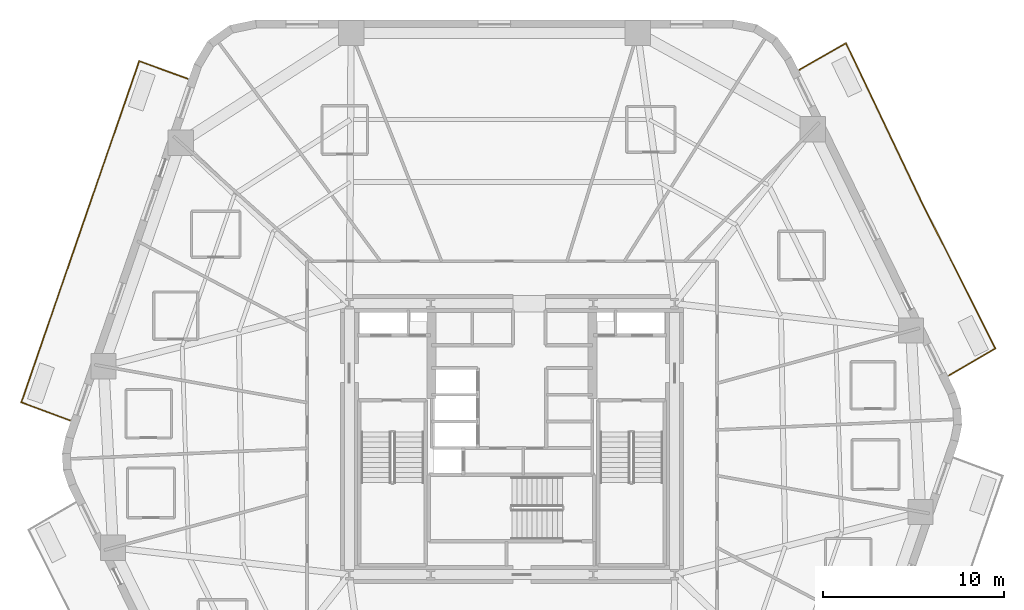
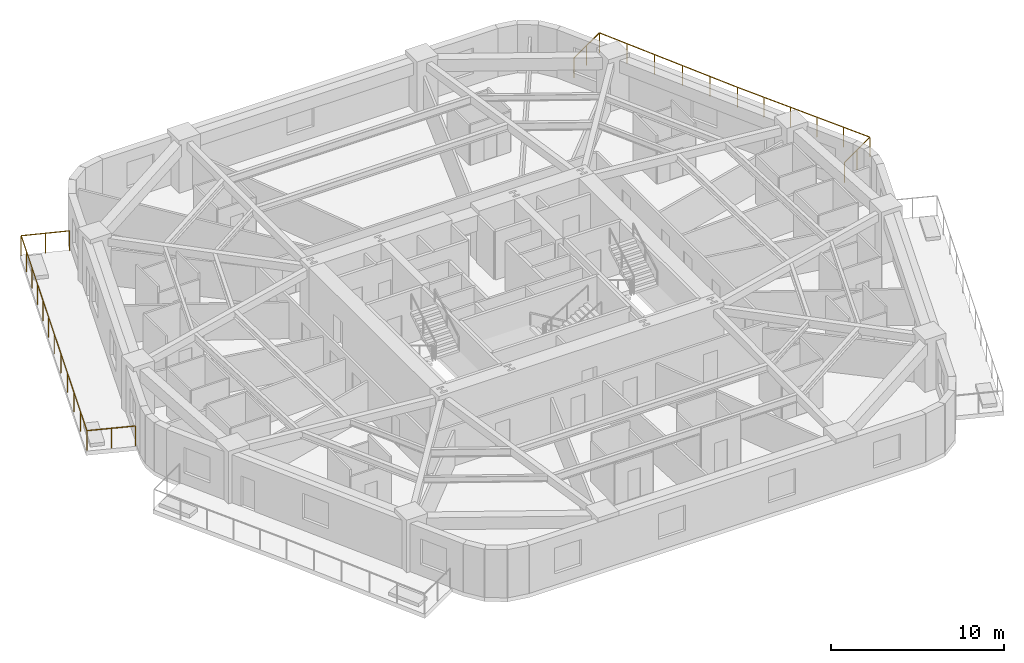
# One storey, part 10 of 10: 2 railings.
"""IFC4 building model written with IfcOpenShell, lengths in metres."""

from ifc_helpers import new_model, si_unit, direction, frame, origin, origin_2d, place, context, subcontext, project, spatial, rectangle, extrude, material, layer, layer_set, type_object, element, save


model = new_model("IFC4")

# Units and contexts
model_context = context("Model", 3, precision=1e-05, world=origin(), true_north=direction((0.0, 1.0)))
body_context = subcontext(model_context, "Body", "Model", "MODEL_VIEW")
ifc_project = project(units=[si_unit("LENGTHUNIT", "METRE"), si_unit("AREAUNIT", "SQUARE_METRE"), si_unit("VOLUMEUNIT", "CUBIC_METRE"), si_unit("PLANEANGLEUNIT", "RADIAN"), si_unit("MASSUNIT", "GRAM", prefix="KILO")], contexts=[model_context])

# Site, building, storey
site_placement = place(None, origin())
site = spatial("IfcSite", under=ifc_project, at=site_placement, CompositionType="ELEMENT")
building_placement = place(site_placement, origin())
building = spatial("IfcBuilding", under=site, at=building_placement, Name="Kilnhurst Terrace Hotel", CompositionType="ELEMENT")
storey_placement = place(building_placement, frame((0.0, 0.0, 49.0)))
storey = spatial("IfcBuildingStorey", under=building, at=storey_placement, Name="L10", CompositionType="ELEMENT", Elevation=49.0)

# Railings
ifc_material = material(Name="Laminated SentryGlas and Stainless Steel AISI 316L Balustrade", Category="steel")
ifc_layer = layer(ifc_material, 0.070068359375, Name="Laminated SentryGlas and Stainless Steel AISI 316L Balustrade")
ifc_layer_set = layer_set([ifc_layer], Name="Laminated SentryGlas and Stainless Steel AISI 316L Balustrade")
railing_type = type_object("IfcRailingType", Name="RLG-BAL-1420", PredefinedType="BALUSTRADE", material=ifc_layer_set)
railing_1_placement = place(storey_placement, frame((15.923095703125, 20.44873046875, 0.0)))
element("IfcRailing", 1, at=railing_1_placement, inside=storey, type_object=railing_type, Name="L10 Exterior Terrace Guardrail BAL-L1B.1", PredefinedType="BALUSTRADE", context=body_context, shape_type="SweptSolid", body=[
    extrude(rectangle(XDim=0.048095703125, YDim=0.048095703125, at=origin_2d()), frame((0.0, 0.0, 1.39599609375), z_axis=(0.86763656582, 0.497198943736, 0.0), x_axis=(-0.497198943736, 0.86763656582, 0.0)), (0.0, 0.0, 1.0), 2.95068359375),
    extrude(rectangle(XDim=0.048095703125, YDim=0.048095703125, at=origin_2d()), frame((2.56005859375, 1.467041015625, 1.39599609375), z_axis=(0.430147205624, -0.902758761516, 0.0), x_axis=(0.902758761516, 0.430147205624, 0.0)), (0.0, 0.0, 1.0), 9.67041015625),
    extrude(rectangle(XDim=0.048095703125, YDim=0.048095703125, at=origin_2d()), frame((6.7197265625, -7.262939453125, 1.39599609375), z_axis=(0.514495755428, -0.857492925713, 0.0), x_axis=(0.857492925713, 0.514495755428, 0.0)), (0.0, 0.0, 1.0), 0.00146484375),
    extrude(rectangle(XDim=0.048095703125, YDim=0.048095703125, at=origin_2d()), frame((6.720458984375, -7.26416015625, 1.39599609375), z_axis=(0.449648824937, -0.89320542667, 0.0), x_axis=(0.89320542667, 0.449648824937, 0.0)), (0.0, 0.0, 1.0), 9.136962890625),
    extrude(rectangle(XDim=0.048095703125, YDim=0.048095703125, at=origin_2d()), frame((10.828857421875, -15.42529296875, 1.39599609375), z_axis=(-0.863737120301, -0.503942642584, 0.0), x_axis=(0.503942642584, -0.863737120301, 0.0)), (0.0, 0.0, 1.0), 2.96728515625),
    extrude(rectangle(XDim=0.0419921875, YDim=0.0419921875, at=origin_2d()), origin(), (0.0, 0.0, 1.0), 1.371826171875),
    extrude(rectangle(XDim=0.0419921875, YDim=0.0419921875, at=origin_2d()), frame((1.280029296875, 0.7333984375, 0.0)), (0.0, 0.0, 1.0), 1.371826171875),
    extrude(rectangle(XDim=0.0419921875, YDim=0.0419921875, at=origin_2d()), frame((2.56005859375, 1.467041015625, 0.0)), (0.0, 0.0, 1.0), 1.371826171875),
    extrude(rectangle(XDim=0.0419921875, YDim=0.0419921875, at=origin_2d()), frame((3.39208984375, -0.279052734375, 0.0)), (0.0, 0.0, 1.0), 1.371826171875),
    extrude(rectangle(XDim=0.0419921875, YDim=0.0419921875, at=origin_2d()), frame((4.223876953125, -2.02490234375, 0.0)), (0.0, 0.0, 1.0), 1.371826171875),
    extrude(rectangle(XDim=0.0419921875, YDim=0.0419921875, at=origin_2d()), frame((5.055908203125, -3.77099609375, 0.0)), (0.0, 0.0, 1.0), 1.371826171875),
    extrude(rectangle(XDim=0.0419921875, YDim=0.0419921875, at=origin_2d()), frame((5.8876953125, -5.516845703125, 0.0)), (0.0, 0.0, 1.0), 1.371826171875),
    extrude(rectangle(XDim=0.0419921875, YDim=0.0419921875, at=origin_2d()), frame((6.7197265625, -7.262939453125, 0.0)), (0.0, 0.0, 1.0), 1.371826171875),
    extrude(rectangle(XDim=0.0419921875, YDim=0.0419921875, at=origin_2d()), frame((6.720458984375, -7.26416015625, 0.0)), (0.0, 0.0, 1.0), 1.371826171875),
    extrude(rectangle(XDim=0.0419921875, YDim=0.0419921875, at=origin_2d()), frame((7.542236328125, -8.896484375, 0.0)), (0.0, 0.0, 1.0), 1.371826171875),
    extrude(rectangle(XDim=0.0419921875, YDim=0.0419921875, at=origin_2d()), frame((8.36376953125, -10.528564453125, 0.0)), (0.0, 0.0, 1.0), 1.371826171875),
    extrude(rectangle(XDim=0.0419921875, YDim=0.0419921875, at=origin_2d()), frame((9.185546875, -12.160888671875, 0.0)), (0.0, 0.0, 1.0), 1.371826171875),
    extrude(rectangle(XDim=0.0419921875, YDim=0.0419921875, at=origin_2d()), frame((10.007080078125, -13.79296875, 0.0)), (0.0, 0.0, 1.0), 1.371826171875),
    extrude(rectangle(XDim=0.0419921875, YDim=0.0419921875, at=origin_2d()), frame((10.828857421875, -15.42529296875, 0.0)), (0.0, 0.0, 1.0), 1.371826171875),
    extrude(rectangle(XDim=0.0419921875, YDim=0.0419921875, at=origin_2d()), frame((9.54736328125, -16.1728515625, 0.0)), (0.0, 0.0, 1.0), 1.371826171875),
    extrude(rectangle(XDim=0.0419921875, YDim=0.0419921875, at=origin_2d()), frame((8.265869140625, -16.920654296875, 0.0)), (0.0, 0.0, 1.0), 1.371826171875),
])
railing_2_placement = place(storey_placement, frame((-24.485107421875, 1.041748046875, 0.0)))
element("IfcRailing", 2, at=railing_2_placement, inside=storey, type_object=railing_type, Name="L10 Exterior Terrace Guardrail BAL-L2A.1", PredefinedType="BALUSTRADE", context=body_context, shape_type="SweptSolid", body=[
    extrude(rectangle(XDim=0.048095703125, YDim=0.048095703125, at=origin_2d()), frame((0.0, 0.0, 1.39599609375), z_axis=(-0.937279097592, 0.348579823308, 0.0), x_axis=(-0.348579823308, -0.937279097592, 0.0)), (0.0, 0.0, 1.0), 2.85205078125),
    extrude(rectangle(XDim=0.048095703125, YDim=0.048095703125, at=origin_2d()), frame((-2.673095703125, 0.994140625, 1.39599609375), z_axis=(0.326159116329, 0.945314884488, 0.0), x_axis=(-0.945314884488, 0.326159116329, 0.0)), (0.0, 0.0, 1.0), 9.91650390625),
    extrude(rectangle(XDim=0.048095703125, YDim=0.048095703125, at=origin_2d()), frame((0.561279296875, 10.368408203125, 1.39599609375), z_axis=(0.326903959129, 0.945057565181, 0.0), x_axis=(-0.945057565181, 0.326903959129, 0.0)), (0.0, 0.0, 1.0), 10.065673828125),
    extrude(rectangle(XDim=0.048095703125, YDim=0.048095703125, at=origin_2d()), frame((3.851806640625, 19.881103515625, 1.39599609375), z_axis=(0.939926315563, -0.341377388402, 0.0), x_axis=(0.341377388402, 0.939926315563, 0.0)), (0.0, 0.0, 1.0), 2.84130859375),
    extrude(rectangle(XDim=0.0419921875, YDim=0.0419921875, at=origin_2d()), origin(), (0.0, 0.0, 1.0), 1.371826171875),
    extrude(rectangle(XDim=0.0419921875, YDim=0.0419921875, at=origin_2d()), frame((-1.33642578125, 0.4970703125, 0.0)), (0.0, 0.0, 1.0), 1.371826171875),
    extrude(rectangle(XDim=0.0419921875, YDim=0.0419921875, at=origin_2d()), frame((-2.673095703125, 0.994140625, 0.0)), (0.0, 0.0, 1.0), 1.371826171875),
    extrude(rectangle(XDim=0.0419921875, YDim=0.0419921875, at=origin_2d()), frame((-2.026123046875, 2.868896484375, 0.0)), (0.0, 0.0, 1.0), 1.371826171875),
    extrude(rectangle(XDim=0.0419921875, YDim=0.0419921875, at=origin_2d()), frame((-1.37939453125, 4.743896484375, 0.0)), (0.0, 0.0, 1.0), 1.371826171875),
    extrude(rectangle(XDim=0.0419921875, YDim=0.0419921875, at=origin_2d()), frame((-0.732421875, 6.61865234375, 0.0)), (0.0, 0.0, 1.0), 1.371826171875),
    extrude(rectangle(XDim=0.0419921875, YDim=0.0419921875, at=origin_2d()), frame((-0.085693359375, 8.49365234375, 0.0)), (0.0, 0.0, 1.0), 1.371826171875),
    extrude(rectangle(XDim=0.0419921875, YDim=0.0419921875, at=origin_2d()), frame((0.561279296875, 10.368408203125, 0.0)), (0.0, 0.0, 1.0), 1.371826171875),
    extrude(rectangle(XDim=0.0419921875, YDim=0.0419921875, at=origin_2d()), frame((1.109619140625, 11.953857421875, 0.0)), (0.0, 0.0, 1.0), 1.371826171875),
    extrude(rectangle(XDim=0.0419921875, YDim=0.0419921875, at=origin_2d()), frame((1.658203125, 13.539306640625, 0.0)), (0.0, 0.0, 1.0), 1.371826171875),
    extrude(rectangle(XDim=0.0419921875, YDim=0.0419921875, at=origin_2d()), frame((2.20654296875, 15.124755859375, 0.0)), (0.0, 0.0, 1.0), 1.371826171875),
    extrude(rectangle(XDim=0.0419921875, YDim=0.0419921875, at=origin_2d()), frame((2.7548828125, 16.710205078125, 0.0)), (0.0, 0.0, 1.0), 1.371826171875),
    extrude(rectangle(XDim=0.0419921875, YDim=0.0419921875, at=origin_2d()), frame((3.303466796875, 18.295654296875, 0.0)), (0.0, 0.0, 1.0), 1.371826171875),
    extrude(rectangle(XDim=0.0419921875, YDim=0.0419921875, at=origin_2d()), frame((3.851806640625, 19.881103515625, 0.0)), (0.0, 0.0, 1.0), 1.371826171875),
    extrude(rectangle(XDim=0.0419921875, YDim=0.0419921875, at=origin_2d()), frame((5.18701171875, 19.39599609375, 0.0)), (0.0, 0.0, 1.0), 1.371826171875),
    extrude(rectangle(XDim=0.0419921875, YDim=0.0419921875, at=origin_2d()), frame((6.5224609375, 18.9111328125, 0.0)), (0.0, 0.0, 1.0), 1.371826171875),
])

save(model, "model.ifc")
